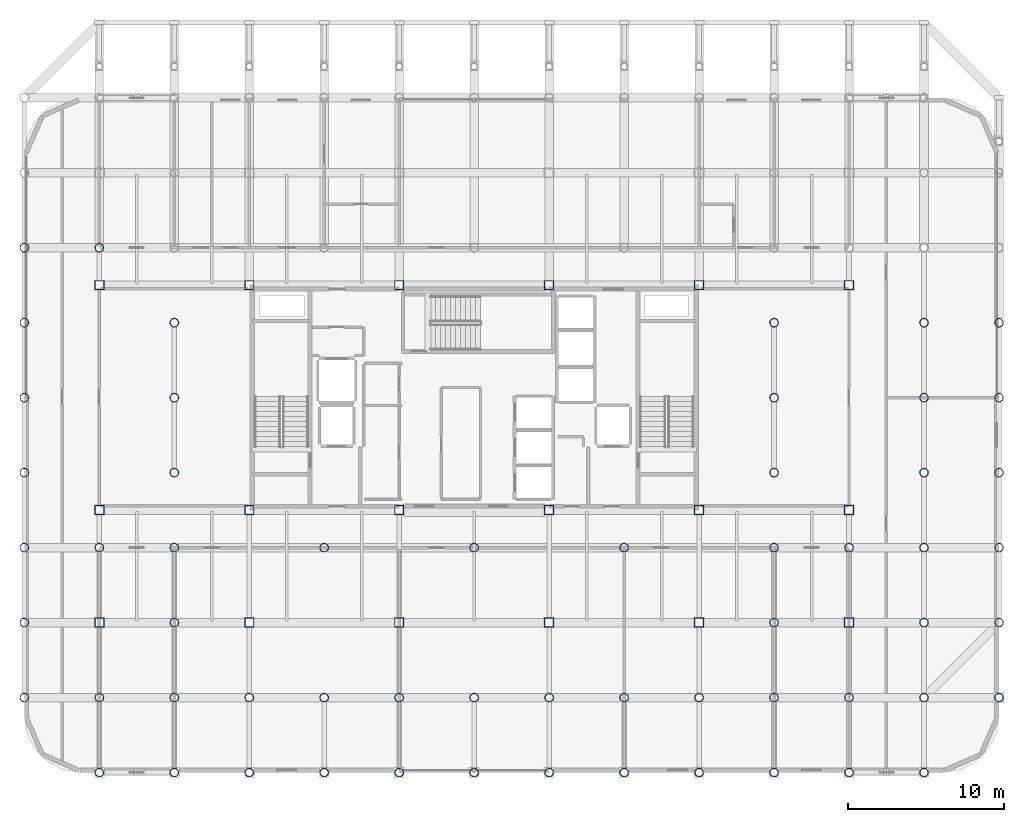
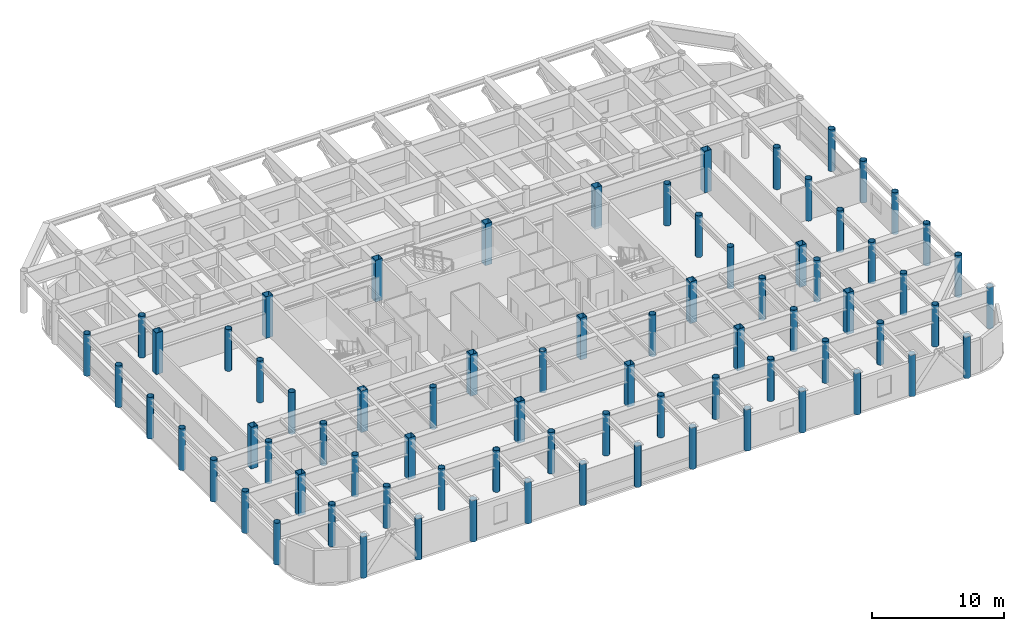
# One storey, part 1 of 24: 76 columns.
"""IFC4 building model written with IfcOpenShell, lengths in metres."""

from ifc_helpers import new_model, si_unit, direction, frame, origin, origin_2d, place, context, subcontext, project, spatial, hollow_rectangle, hollow_circle, extrude, material, material_profile, profile_set, type_object, element, save


model = new_model("IFC4")

# Units and contexts
model_context = context("Model", 3, precision=1e-05, world=origin(), true_north=direction((0.0, 1.0)))
body_context = subcontext(model_context, "Body", "Model", "MODEL_VIEW")
ifc_project = project(units=[si_unit("LENGTHUNIT", "METRE"), si_unit("AREAUNIT", "SQUARE_METRE"), si_unit("VOLUMEUNIT", "CUBIC_METRE"), si_unit("PLANEANGLEUNIT", "RADIAN"), si_unit("MASSUNIT", "GRAM", prefix="KILO")], contexts=[model_context])

# Site, building, storey
site_placement = place(None, origin())
site = spatial("IfcSite", under=ifc_project, at=site_placement, CompositionType="ELEMENT")
building_placement = place(site_placement, origin())
building = spatial("IfcBuilding", under=site, at=building_placement, Name="Kallvorn Hotel Tower", CompositionType="ELEMENT")
storey_placement = place(building_placement, frame((0.0, 0.0, 218.449951171875)))
storey = spatial("IfcBuildingStorey", under=building, at=storey_placement, Name="L54", CompositionType="ELEMENT", Elevation=218.449951171875)

# Columns
ifc_material_1 = material(Name="Structural steel S355J2H", Category="steel")
ifc_material_profile_1 = material_profile(ifc_material_1, hollow_circle(Radius=0.279541015625, WallThickness=0.02490234375, at=origin_2d()), Name="CHS 559x25")
ifc_profile_set_1 = profile_set([ifc_material_profile_1], Name="Structural steel S355J2H")
column_type_1 = type_object("IfcColumnType", Name="COL_CHS_559", PredefinedType="COLUMN", material=ifc_profile_set_1)
for number, where, z_axis, x_axis, name in (
    (1, (-28.800048828125, -19.199951171875, 0.0), (0.0, 0.0, 1.0), (1.0, 0.0, 0.0), "L54 Exoskeleton Column EC01"),
    (2, (-28.800048828125, -14.39990234375, 0.0), (0.0, 0.0, 1.0), (1.0, 0.0, 0.0), "L54 Exoskeleton Column EC02"),
    (3, (-28.800048828125, -9.60009765625, 0.0), (0.0, 0.0, 1.0), (1.0, 0.0, 0.0), "L54 Exoskeleton Column EC03"),
    (4, (-28.800048828125, -4.800048828125, 0.0), (0.0, 0.0, 1.0), (1.0, 0.0, 0.0), "L54 Exoskeleton Column EC04"),
    (5, (-28.800048828125, 0.0, 0.0), (0.0, 0.0, 1.0), (1.0, 0.0, 0.0), "L54 Exoskeleton Column EC05"),
    (6, (-28.800048828125, 4.800048828125, 0.0), (0.0, 0.0, 1.0), (1.0, 0.0, 0.0), "L54 Exoskeleton Column EC06"),
    (7, (-28.800048828125, 9.60009765625, 0.0), (0.0, 0.0, 1.0), (1.0, 0.0, 0.0), "L54 Exoskeleton Column EC07"),
    (8, (-24.0, -24.0, 0.0), (0.0, 0.0, 1.0), (1.0, 0.0, 0.0), "L54 Exoskeleton Column EC10"),
    (9, (-24.0, -19.199951171875, 0.0), (0.0, 0.0, 1.0), (1.0, 0.0, 0.0), "L54 Exoskeleton Column EC11"),
    (10, (-24.0, -9.60009765625, 0.0), (0.0, 0.0, 1.0), (1.0, 0.0, 0.0), "L54 Exoskeleton Column EC12"),
    (11, (-24.0, 9.60009765625, 0.0), (0.0, 0.0, 1.0), (1.0, 0.0, 0.0), "L54 Exoskeleton Column EC13"),
    (12, (-19.199951171875, -24.0, 0.0), (0.0, 0.0, 1.0), (1.0, 0.0, 0.0), "L54 Exoskeleton Column EC15"),
    (13, (-19.199951171875, -19.199951171875, 0.0), (0.0, 0.0, 1.0), (1.0, 0.0, 0.0), "L54 Exoskeleton Column EC16"),
    (14, (-19.199951171875, -14.39990234375, 0.0), (0.0, 0.0, 1.0), (1.0, 0.0, 0.0), "L54 Exoskeleton Column EC17"),
    (15, (-19.199951171875, -9.60009765625, 0.0), (0.0, 0.0, 1.0), (1.0, 0.0, 0.0), "L54 Exoskeleton Column EC18"),
    (16, (-19.199951171875, -4.800048828125, 0.0), (0.0, 0.0, 1.0), (1.0, 0.0, 0.0), "L54 Exoskeleton Column EC19"),
    (17, (-19.199951171875, 0.0, 0.0), (0.0, 0.0, 1.0), (1.0, 0.0, 0.0), "L54 Exoskeleton Column EC20"),
    (18, (-19.199951171875, 4.800048828125, 0.0), (0.0, 0.0, 1.0), (1.0, 0.0, 0.0), "L54 Exoskeleton Column EC21"),
    (19, (-14.39990234375, -24.0, 0.0), (0.0, 0.0, 1.0), (1.0, 0.0, 0.0), "L54 Exoskeleton Column EC25"),
    (20, (-14.39990234375, -19.199951171875, 0.0), (0.0, 0.0, 1.0), (1.0, 0.0, 0.0), "L54 Exoskeleton Column EC26"),
    (21, (-9.60009765625, -24.0, 0.0), (0.0, 0.0, 1.0), (1.0, 0.0, 0.0), "L54 Exoskeleton Column EC28"),
    (22, (-9.60009765625, -19.199951171875, 0.0), (0.0, 0.0, 1.0), (1.0, 0.0, 0.0), "L54 Exoskeleton Column EC29"),
    (23, (-9.60009765625, -9.60009765625, 0.0), (0.0, 0.0, 1.0), (1.0, 0.0, 0.0), "L54 Exoskeleton Column EC30"),
    (24, (-4.800048828125, -24.0, 0.0), (0.0, 0.0, 1.0), (1.0, 0.0, 0.0), "L54 Exoskeleton Column EC33"),
    (25, (-4.800048828125, -19.199951171875, 0.0), (0.0, 0.0, 1.0), (1.0, 0.0, 0.0), "L54 Exoskeleton Column EC34"),
    (26, (0.0, -24.0, 0.0), (0.0, 0.0, 1.0), (1.0, 0.0, 0.0), "L54 Exoskeleton Column EC36"),
    (27, (0.0, -19.199951171875, 0.0), (0.0, 0.0, 1.0), (1.0, 0.0, 0.0), "L54 Exoskeleton Column EC37"),
    (28, (0.0, -9.60009765625, 0.0), (0.0, 0.0, 1.0), (1.0, 0.0, 0.0), "L54 Exoskeleton Column EC38"),
    (29, (4.800048828125, -24.0, 0.0), (0.0, 0.0, 1.0), (1.0, 0.0, 0.0), "L54 Exoskeleton Column EC41"),
    (30, (4.800048828125, -19.199951171875, 0.0), (0.0, 0.0, 1.0), (1.0, 0.0, 0.0), "L54 Exoskeleton Column EC42"),
    (31, (9.60009765625, -24.0, 0.0), (0.0, 0.0, 1.0), (1.0, 0.0, 0.0), "L54 Exoskeleton Column EC44"),
    (32, (9.60009765625, -19.199951171875, 0.0), (0.0, 0.0, 1.0), (1.0, 0.0, 0.0), "L54 Exoskeleton Column EC45"),
    (33, (9.60009765625, -9.60009765625, 0.0), (0.0, 0.0, 1.0), (1.0, 0.0, 0.0), "L54 Exoskeleton Column EC46"),
    (34, (14.39990234375, -24.0, 0.0), (0.0, 0.0, 1.0), (1.0, 0.0, 0.0), "L54 Exoskeleton Column EC49"),
    (35, (14.39990234375, -19.199951171875, 0.0), (0.0, 0.0, 1.0), (1.0, 0.0, 0.0), "L54 Exoskeleton Column EC50"),
    (36, (19.199951171875, -24.0, 0.0), (0.0, 0.0, 1.0), (1.0, 0.0, 0.0), "L54 Exoskeleton Column EC52"),
    (37, (19.199951171875, -19.199951171875, 0.0), (0.0, 0.0, 1.0), (1.0, 0.0, 0.0), "L54 Exoskeleton Column EC53"),
    (38, (19.199951171875, -14.39990234375, 0.0), (0.0, 0.0, 1.0), (1.0, 0.0, 0.0), "L54 Exoskeleton Column EC54"),
    (39, (19.199951171875, -9.60009765625, 0.0), (0.0, 0.0, 1.0), (1.0, 0.0, 0.0), "L54 Exoskeleton Column EC55"),
    (40, (19.199951171875, -4.800048828125, 0.0), (0.0, 0.0, 1.0), (1.0, 0.0, 0.0), "L54 Exoskeleton Column EC56"),
    (41, (19.199951171875, 0.0, 0.0), (0.0, 0.0, 1.0), (1.0, 0.0, 0.0), "L54 Exoskeleton Column EC57"),
    (42, (19.199951171875, 4.800048828125, 0.0), (0.0, 0.0, 1.0), (1.0, 0.0, 0.0), "L54 Exoskeleton Column EC58"),
    (43, (24.0, -24.0, 0.0), (0.0, 0.0, 1.0), (1.0, 0.0, 0.0), "L54 Exoskeleton Column EC62"),
    (44, (24.0, -19.199951171875, 0.0), (0.0, 0.0, 1.0), (1.0, 0.0, 0.0), "L54 Exoskeleton Column EC63"),
    (45, (24.0, -9.60009765625, 0.0), (0.0, 0.0, 1.0), (1.0, 0.0, 0.0), "L54 Exoskeleton Column EC64"),
    (46, (28.800048828125, -24.0, 0.0), (0.0, 0.0, 1.0), (1.0, 0.0, 0.0), "L54 Exoskeleton Column EC67"),
    (47, (28.800048828125, -19.199951171875, 0.0), (0.0, 0.0, 1.0), (1.0, 0.0, 0.0), "L54 Exoskeleton Column EC68"),
    (48, (28.800048828125, -14.39990234375, 0.0), (0.0, 0.0, 1.0), (1.0, 0.0, 0.0), "L54 Exoskeleton Column EC69"),
    (49, (28.800048828125, -9.60009765625, 0.0), (0.0, 0.0, 1.0), (1.0, 0.0, 0.0), "L54 Exoskeleton Column EC70"),
    (50, (28.800048828125, -4.800048828125, 0.0), (0.0, 0.0, 1.0), (1.0, 0.0, 0.0), "L54 Exoskeleton Column EC71"),
    (51, (28.800048828125, 0.0, 0.0), (0.0, 0.0, 1.0), (1.0, 0.0, 0.0), "L54 Exoskeleton Column EC72"),
    (52, (28.800048828125, 4.800048828125, 0.0), (0.0, 0.0, 1.0), (1.0, 0.0, 0.0), "L54 Exoskeleton Column EC73"),
    (53, (33.60009765625, -19.199951171875, 0.0), (0.0, 0.0, 1.0), (1.0, 0.0, 0.0), "L54 Exoskeleton Column EC77"),
    (54, (33.60009765625, -14.39990234375, 0.0), (0.0, 0.0, 1.0), (1.0, 0.0, 0.0), "L54 Exoskeleton Column EC78"),
    (55, (33.60009765625, -9.60009765625, 0.0), (0.0, 0.0, 1.0), (1.0, 0.0, 0.0), "L54 Exoskeleton Column EC79"),
    (56, (33.60009765625, -4.800048828125, 0.0), (0.0, 0.0, 1.0), (1.0, 0.0, 0.0), "L54 Exoskeleton Column EC80"),
    (57, (33.60009765625, 0.0, 0.0), (0.0, 0.0, 1.0), (1.0, 0.0, 0.0), "L54 Exoskeleton Column EC81"),
    (58, (33.60009765625, 4.800048828125, 0.0), (0.0, 0.0, 1.0), (1.0, 0.0, 0.0), "L54 Exoskeleton Column EC82"),
):
    element("IfcColumn", number, at=place(storey_placement, frame(where, z_axis=z_axis, x_axis=x_axis)), inside=storey, type_object=column_type_1, Name=name, PredefinedType="COLUMN", context=body_context, shape_type="SweptSolid", body=[
        extrude(hollow_circle(Radius=0.279541015625, WallThickness=0.02490234375, at=origin_2d()), origin(), (0.0, 0.0, 1.0), 3.85009765625),
    ])
ifc_material_2 = material(Name="Structural steel S355J2H", Category="steel")
ifc_material_profile_2 = material_profile(ifc_material_2, hollow_rectangle(XDim=0.60009765625, YDim=0.60009765625, WallThickness=0.028076171875, at=origin_2d()), Name="RHS 600x600x28")
ifc_profile_set_2 = profile_set([ifc_material_profile_2], Name="Structural steel S355J2H")
column_type_2 = type_object("IfcColumnType", Name="COL_RHS_600", PredefinedType="COLUMN", material=ifc_profile_set_2)
for number, where, z_axis, x_axis, name in (
    (59, (-24.0, -14.39990234375, 0.0), (0.0, 0.0, 1.0), (1.0, 0.0, 0.0), "L54 Inner Column IC01"),
    (60, (-24.0, -7.199951171875, 0.0), (0.0, 0.0, 1.0), (1.0, 0.0, 0.0), "L54 Inner Column IC02"),
    (61, (-24.0, 7.199951171875, 0.0), (0.0, 0.0, 1.0), (1.0, 0.0, 0.0), "L54 Inner Column IC03"),
    (62, (-14.39990234375, -14.39990234375, 0.0), (0.0, 0.0, 1.0), (1.0, 0.0, 0.0), "L54 Inner Column IC05"),
    (63, (-14.39990234375, -7.199951171875, 0.0), (0.0, 0.0, 1.0), (1.0, 0.0, 0.0), "L54 Inner Column IC06"),
    (64, (-14.39990234375, 7.199951171875, 0.0), (0.0, 0.0, 1.0), (1.0, 0.0, 0.0), "L54 Inner Column IC07"),
    (65, (-4.800048828125, -14.39990234375, 0.0), (0.0, 0.0, 1.0), (1.0, 0.0, 0.0), "L54 Inner Column IC09"),
    (66, (-4.800048828125, -7.199951171875, 0.0), (0.0, 0.0, 1.0), (1.0, 0.0, 0.0), "L54 Inner Column IC10"),
    (67, (-4.800048828125, 7.199951171875, 0.0), (0.0, 0.0, 1.0), (1.0, 0.0, 0.0), "L54 Inner Column IC11"),
    (68, (4.800048828125, -14.39990234375, 0.0), (0.0, 0.0, 1.0), (1.0, 0.0, 0.0), "L54 Inner Column IC13"),
    (69, (4.800048828125, -7.199951171875, 0.0), (0.0, 0.0, 1.0), (1.0, 0.0, 0.0), "L54 Inner Column IC14"),
    (70, (4.800048828125, 7.199951171875, 0.0), (0.0, 0.0, 1.0), (1.0, 0.0, 0.0), "L54 Inner Column IC15"),
    (71, (14.39990234375, -14.39990234375, 0.0), (0.0, 0.0, 1.0), (1.0, 0.0, 0.0), "L54 Inner Column IC17"),
    (72, (14.39990234375, -7.199951171875, 0.0), (0.0, 0.0, 1.0), (1.0, 0.0, 0.0), "L54 Inner Column IC18"),
    (73, (14.39990234375, 7.199951171875, 0.0), (0.0, 0.0, 1.0), (1.0, 0.0, 0.0), "L54 Inner Column IC19"),
    (74, (24.0, -14.39990234375, 0.0), (0.0, 0.0, 1.0), (1.0, 0.0, 0.0), "L54 Inner Column IC21"),
    (75, (24.0, -7.199951171875, 0.0), (0.0, 0.0, 1.0), (1.0, 0.0, 0.0), "L54 Inner Column IC22"),
    (76, (24.0, 7.199951171875, 0.0), (0.0, 0.0, 1.0), (1.0, 0.0, 0.0), "L54 Inner Column IC23"),
):
    element("IfcColumn", number, at=place(storey_placement, frame(where, z_axis=z_axis, x_axis=x_axis)), inside=storey, type_object=column_type_2, Name=name, PredefinedType="COLUMN", context=body_context, shape_type="SweptSolid", body=[
        extrude(hollow_rectangle(XDim=0.60009765625, YDim=0.60009765625, WallThickness=0.028076171875, at=origin_2d()), origin(), (0.0, 0.0, 1.0), 3.85009765625),
    ])

save(model, "model.ifc")
